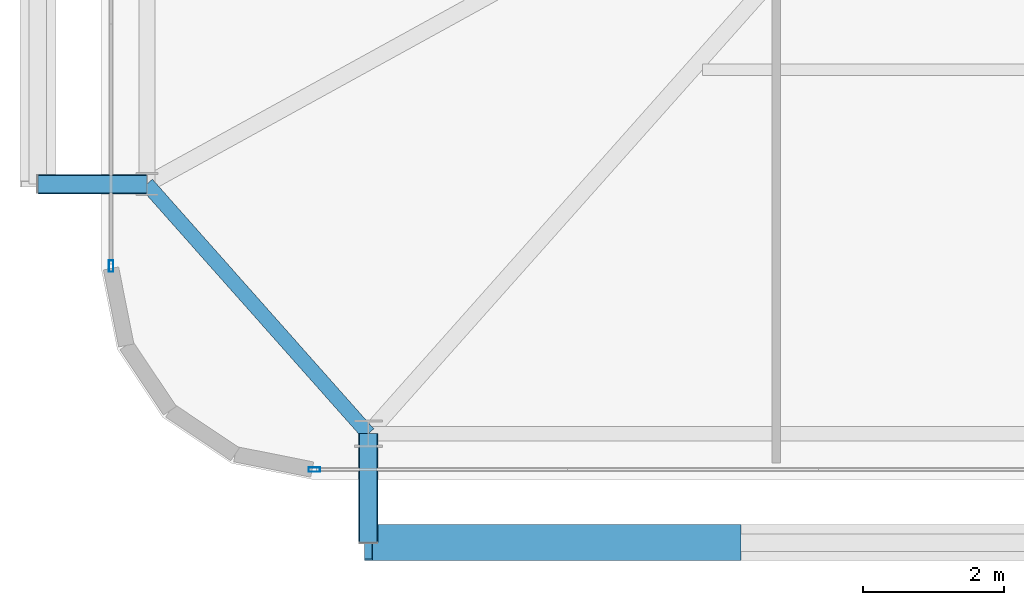
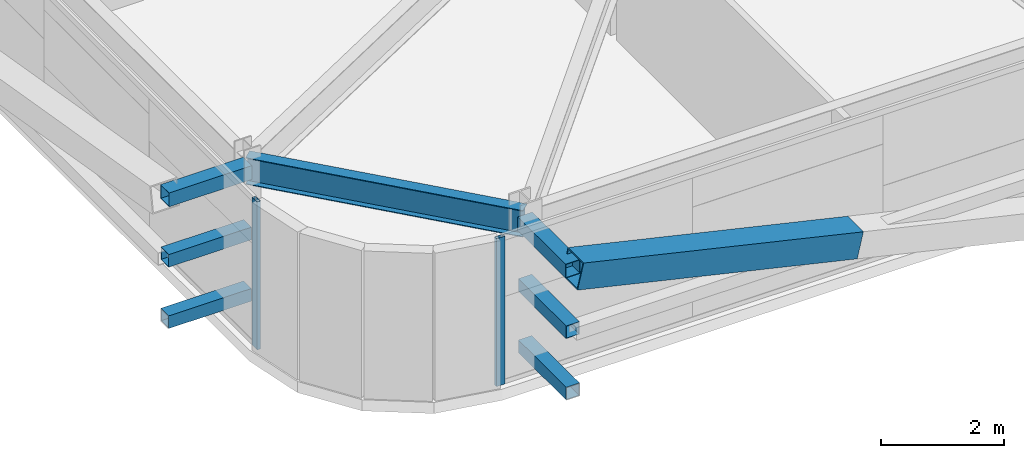
# One storey, part 5 of 44: 9 members, 1 beam, 2 elements without a shape of their own.
"""IFC4 building model written with IfcOpenShell, lengths in metres."""

from ifc_helpers import new_model, si_unit, direction, frame, origin, origin_2d, place, context, subcontext, project, spatial, hollow_rectangle, i_section, extrude, source, transform, mapped, material, layer, layer_set, material_profile, profile_set, type_object, element, aggregate, save


model = new_model("IFC4")

# Units and contexts
model_context = context("Model", 3, precision=1e-05, world=origin(), true_north=direction((0.0, 1.0)))
body_context = subcontext(model_context, "Body", "Model", "MODEL_VIEW")
ifc_project = project(units=[si_unit("LENGTHUNIT", "METRE"), si_unit("AREAUNIT", "SQUARE_METRE"), si_unit("VOLUMEUNIT", "CUBIC_METRE"), si_unit("PLANEANGLEUNIT", "RADIAN"), si_unit("MASSUNIT", "GRAM", prefix="KILO")], contexts=[model_context])

# Site, building, storey
site_placement = place(None, origin())
site = spatial("IfcSite", under=ifc_project, at=site_placement, CompositionType="ELEMENT")
building_placement = place(site_placement, origin())
building = spatial("IfcBuilding", under=site, at=building_placement, Name="Taldren Reach Tower", CompositionType="ELEMENT")
storey_placement = place(building_placement, frame((0.0, 0.0, 38.85009765625)))
storey = spatial("IfcBuildingStorey", under=building, at=storey_placement, Name="L11", CompositionType="ELEMENT", Elevation=38.85009765625)

# Beam
ifc_material_1 = material(Name="Steel Gr 350 (350PLUS)", Category="steel")
ifc_material_profile_1 = material_profile(ifc_material_1, i_section(OverallWidth=0.208984375, OverallDepth=0.528076171875, WebThickness=0.009521484375, FlangeThickness=0.01318359375, at=origin_2d()), Name="530UB82.0")
ifc_profile_set_1 = profile_set([ifc_material_profile_1], Name="Steel Gr 350 (350PLUS)")
beam_type = type_object("IfcBeamType", Name="SP-UB530B", PredefinedType="SPANDREL", material=ifc_profile_set_1)
shared_shape_1 = source(origin(), body_context, "Body", "SweptSolid", [
    extrude(i_section(OverallWidth=0.208984375, OverallDepth=0.528076171875, WebThickness=0.009521484375, FlangeThickness=0.01318359375, at=origin_2d()), origin(), (0.0, 0.0, 1.0), 4.74609375),
])
beam_placement = place(storey_placement, frame((5.64990234375, 5.699951171875, 2.666015625), z_axis=(0.663721843779, -0.747979487747, 0.0), x_axis=(0.747979487747, 0.663721843779, 0.0)))
element("IfcBeam", 1, at=beam_placement, inside=storey, type_object=beam_type, Name="Perimeter spandrel B1 W1-S1 L11", PredefinedType="SPANDREL", context=body_context, shape_type="MappedRepresentation", body=[
    mapped(shared_shape_1, transform((0.0, 0.0, 0.0), scale=1.0)),
])

# Members
ifc_material_2 = material(Name="Steel Gr 450 (C450L0)", Category="steel")
ifc_material_profile_2 = material_profile(ifc_material_2, hollow_rectangle(XDim=0.27490234375, YDim=0.27490234375, WallThickness=0.00927734375, at=origin_2d()), Name="275x275x9.3SHS")
ifc_profile_set_2 = profile_set([ifc_material_profile_2], Name="Steel Gr 450 (C450L0)")
member_type_1 = type_object("IfcMemberType", Name="MB-TIE273", PredefinedType="STRUT", material=ifc_profile_set_2)
shared_shape_2 = source(origin(), body_context, "Body", "SweptSolid", [
    extrude(hollow_rectangle(XDim=0.27490234375, YDim=0.27490234375, WallThickness=0.00927734375, at=origin_2d()), origin(), (0.0, 0.0, 1.0), 1.5498046875),
])
for number, where, z_axis, x_axis, name in (
    (2, (8.800048828125, 2.14990234375, 2.64990234375), (0.0, -1.0, 0.0), (1.0, 0.0, 0.0), "Exoskeleton diaphragm tie strut B1-S1 L11"),
    (3, (5.64990234375, 5.699951171875, 2.64990234375), (-1.0, 0.0, 0.0), (0.0, -1.0, 0.0), "Exoskeleton diaphragm tie strut B1-W1 L11"),
):
    element("IfcMember", number, at=place(storey_placement, frame(where, z_axis=z_axis, x_axis=x_axis)), inside=storey, type_object=member_type_1, Name=name, PredefinedType="STRUT", context=body_context, shape_type="MappedRepresentation", body=[
        mapped(shared_shape_2, transform((0.0, 0.0, 0.0), scale=1.0)),
    ])
ifc_material_profile_3 = material_profile(ifc_material_2, hollow_rectangle(XDim=0.510009765625, YDim=0.510009765625, WallThickness=0.02001953125, at=origin_2d()), Name="510x510x20.0SHS")
ifc_profile_set_3 = profile_set([ifc_material_profile_3], Name="Steel Gr 450 (C450L0)")
member_type_2 = type_object("IfcMemberType", Name="MB-EXO508", PredefinedType="BRACE", material=ifc_profile_set_3)
shared_shape_3 = source(origin(), body_context, "Body", "SweptSolid", [
    extrude(hollow_rectangle(XDim=0.510009765625, YDim=0.510009765625, WallThickness=0.02001953125, at=origin_2d()), origin(), (0.0, 0.0, 1.0), 5.37890625),
])
member_1_placement = place(storey_placement, frame((14.0400390625, 0.60009765625, 1.434814453125), z_axis=(-0.97415197996, 0.0, 0.225893603143), x_axis=(0.0, -1.0, 0.0)))
element("IfcMember", 4, at=member_1_placement, inside=storey, type_object=member_type_2, Name="Exoskeleton Diagrid Brace B1-S1 L11", PredefinedType="BRACE", context=body_context, shape_type="MappedRepresentation", body=[
    mapped(shared_shape_3, transform((0.0, 0.0, 0.0), scale=1.0)),
])
ifc_material_3 = material(Name="Steel Gr 350 (C350L0)", Category="steel")
ifc_material_profile_4 = material_profile(ifc_material_3, hollow_rectangle(XDim=0.25, YDim=0.25, WallThickness=0.010009765625, at=origin_2d()), Name="250x250x10.0SHS")
ifc_profile_set_4 = profile_set([ifc_material_profile_4], Name="Steel Gr 350 (C350L0)")
member_type_3 = type_object("IfcMemberType", Name="MB-POST250", PredefinedType="POST", material=ifc_profile_set_4)
shared_shape_4 = source(origin(), body_context, "Body", "SweptSolid", [
    extrude(hollow_rectangle(XDim=0.25, YDim=0.25, WallThickness=0.010009765625, at=origin_2d()), origin(), (0.0, 0.0, 1.0), 1.5498046875),
])
for number, where, z_axis, x_axis, name in (
    (5, (8.800048828125, 2.14990234375, 0.219970703125), (0.0, -1.0, 0.0), (1.0, 0.0, 0.0), "Exoskeleton base diaphragm tie strut B1-S1 L11"),
    (6, (5.64990234375, 5.699951171875, 0.219970703125), (-1.0, 0.0, 0.0), (0.0, -1.0, 0.0), "Exoskeleton base diaphragm tie strut B1-W1 L11"),
    (7, (8.800048828125, 2.14990234375, 1.434814453125), (0.0, -1.0, 0.0), (1.0, 0.0, 0.0), "Exoskeleton mid-tier diaphragm tie B1-S1 L11"),
    (8, (5.64990234375, 5.699951171875, 1.434814453125), (-1.0, 0.0, 0.0), (0.0, -1.0, 0.0), "Exoskeleton mid-tier diaphragm tie B1-W1 L11"),
):
    element("IfcMember", number, at=place(storey_placement, frame(where, z_axis=z_axis, x_axis=x_axis)), inside=storey, type_object=member_type_3, Name=name, PredefinedType="POST", context=body_context, shape_type="MappedRepresentation", body=[
        mapped(shared_shape_4, transform((0.0, 0.0, 0.0), scale=1.0)),
    ])

# Curtain wall, member
ifc_material_4 = material(Name="Aluminium and Low-E Glass Unitised System", Category="aluminium")
ifc_layer = layer(ifc_material_4, 0.159912109375)
ifc_layer_set = layer_set([ifc_layer], Name="Aluminium and Low-E Glass Unitised System")
curtain_wall_type = type_object("IfcCurtainWallType", Name="CW-SYS-2", PredefinedType="NOTDEFINED", material=ifc_layer_set)
curtain_wall_1_placement = place(storey_placement, origin())
curtain_wall_1 = element("IfcCurtainWall", 9, at=curtain_wall_1_placement, inside=storey, type_object=curtain_wall_type, Name="Unitised curtain wall CW-L11-S", PredefinedType="NOTDEFINED")
ifc_material_5 = material(Name="Anodised Aluminium 6063-T6", Category="aluminium")
ifc_material_profile_5 = material_profile(ifc_material_5, hollow_rectangle(XDim=0.06494140625, YDim=0.1650390625, WallThickness=0.00390625, at=origin_2d()), Name="ALU-165x65x4RHS")
ifc_profile_set_5 = profile_set([ifc_material_profile_5], Name="Anodised Aluminium 6063-T6")
member_type_4 = type_object("IfcMemberType", Name="CW-MUL-165", PredefinedType="MULLION", material=ifc_profile_set_5)
shared_shape_5 = source(origin(), body_context, "Body", "SweptSolid", [
    extrude(hollow_rectangle(XDim=0.06494140625, YDim=0.1650390625, WallThickness=0.00390625, at=origin_2d()), origin(), (0.0, 0.0, 1.0), 2.929931640625),
])
member_2_placement = place(storey_placement, frame((8.032470703125, 1.639892578125, 0.0), z_axis=(0.0, 0.0, 1.0), x_axis=(0.0, 1.0, 0.0)))
member_2 = element("IfcMember", 10, at=member_2_placement, type_object=member_type_4, Name="CW-2 mullion 1", PredefinedType="MULLION", context=body_context, shape_type="MappedRepresentation", body=[
    mapped(shared_shape_5, transform((0.0, 0.0, 0.0), scale=1.0)),
])
aggregate(curtain_wall_1, [member_2])

curtain_wall_2_placement = place(storey_placement, origin())
curtain_wall_2 = element("IfcCurtainWall", 11, at=curtain_wall_2_placement, inside=storey, type_object=curtain_wall_type, Name="Unitised curtain wall CW-L11-W", PredefinedType="NOTDEFINED")
member_3_placement = place(storey_placement, frame((5.139892578125, 4.532470703125, 0.0), z_axis=(0.0, 0.0, 1.0), x_axis=(1.0, 0.0, 0.0)))
member_3 = element("IfcMember", 12, at=member_3_placement, type_object=member_type_4, Name="CW-2 mullion 4", PredefinedType="MULLION", context=body_context, shape_type="MappedRepresentation", body=[
    mapped(shared_shape_5, transform((0.0, 0.0, 0.0), scale=1.0)),
])
aggregate(curtain_wall_2, [member_3])

save(model, "model.ifc")
